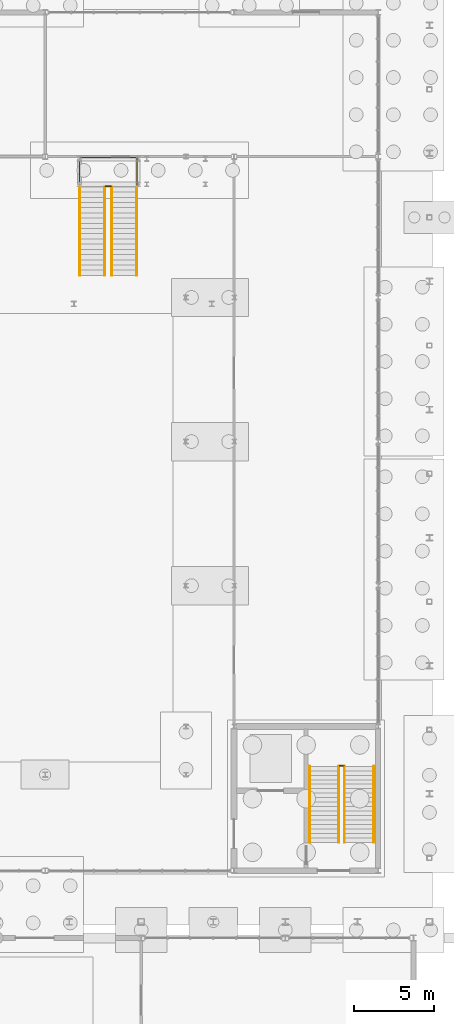
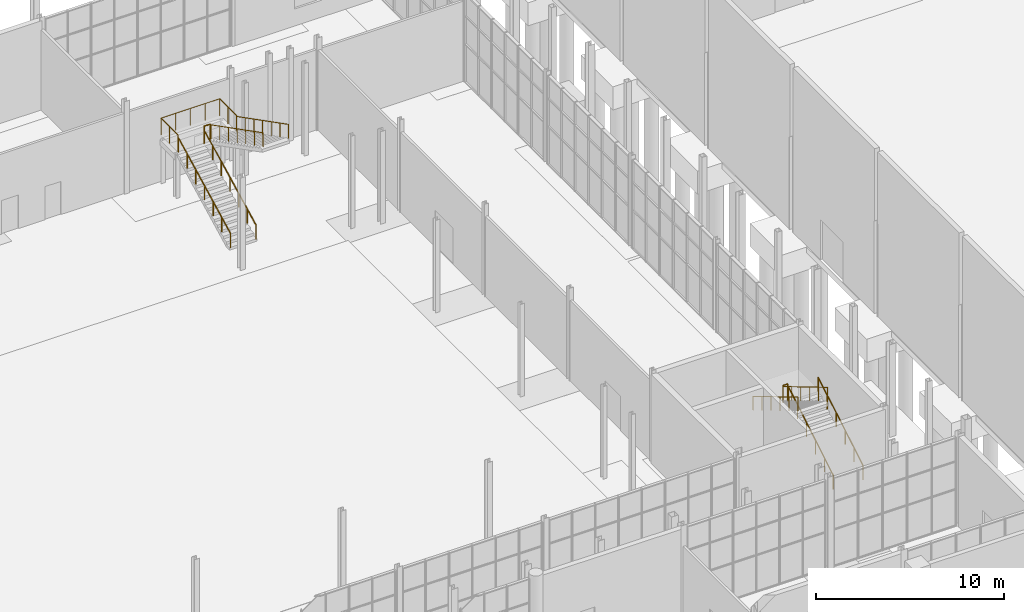
# One storey, part 129 of 131: 11 railings.
"""IFC4 building model written with IfcOpenShell, lengths in metres."""

import ifcopenshell
import ifcopenshell.guid

model = None  # the IFC model being written
_history = None  # IfcOwnerHistory: only IFC2X3 demands one
_inside = {}  # id of a spatial element -> (the spatial element, [elements in it])
_under = {}  # id of a project, library or spatial element -> (it, [spatial elements below it])
_declared = {}  # id of a project -> (the project, [libraries it declares])
_typed = {}  # id of a type object -> (the type object, [elements of that type])
_made_of = {}  # id of a material, layer set ... -> (it, [elements and type objects made of it])


def new_model(schema):
    """Start an empty IFC model of exactly this schema.

    Asked for "IFC4X3", IfcOpenShell would pick the latest addendum, in which some entities
    have other attributes; the version numbers below select the first issue.
    IFC2X3 requires an IfcOwnerHistory on every rooted entity: one is made here for all.
    """
    global model, _history
    if schema == "IFC4X3":
        model = ifcopenshell.file(schema_version=(4, 3, 0, 0))
    else:
        model = ifcopenshell.file(schema=schema)
    _inside.clear()
    _under.clear()
    _declared.clear()
    _typed.clear()
    _made_of.clear()
    _history = None
    if model.schema == "IFC2X3":
        org = make("IfcOrganization", Name="unknown")
        user = make(
            "IfcPersonAndOrganization",
            ThePerson=make("IfcPerson", FamilyName="unknown"),
            TheOrganization=org,
        )
        app = make(
            "IfcApplication",
            ApplicationDeveloper=org,
            Version="unknown",
            ApplicationFullName="unknown",
            ApplicationIdentifier="unknown",
        )
        _history = make(
            "IfcOwnerHistory",
            OwningUser=user,
            OwningApplication=app,
            ChangeAction="ADDED",
            CreationDate=0,
        )
    return model


def make(cls, **values):
    """One entity of the class cls with the attributes given. An attribute that is None is left unset."""
    return model.create_entity(
        cls, **{name: value for name, value in values.items() if value is not None}
    )


def rooted(cls, **values):
    """An entity with a GlobalId (a new one), such as an element, a storey or a relation."""
    return make(cls, GlobalId=ifcopenshell.guid.new(), OwnerHistory=_history, **values)


def si_unit(unit_type, name, prefix=None):
    """IfcSIUnit, for example si_unit("LENGTHUNIT", "METRE", prefix="MILLI")."""
    return make("IfcSIUnit", UnitType=unit_type, Prefix=prefix, Name=name)


def assignment(units):
    """IfcUnitAssignment: the units of a project."""
    return None if units is None else make("IfcUnitAssignment", Units=units)


def point(xyz):
    """IfcCartesianPoint."""
    return None if xyz is None else make("IfcCartesianPoint", Coordinates=xyz)


def direction(xyz):
    """IfcDirection."""
    return None if xyz is None else make("IfcDirection", DirectionRatios=xyz)


def frame(location, z_axis=None, x_axis=None):
    """IfcAxis2Placement3D, a coordinate frame: its origin and axes. An axis left out is left unset."""
    return make(
        "IfcAxis2Placement3D",
        Location=point(location),
        Axis=direction(z_axis),
        RefDirection=direction(x_axis),
    )


def frame_2d(location, x_axis=None):
    """IfcAxis2Placement2D, a coordinate frame in the plane: its origin and x axis."""
    return make(
        "IfcAxis2Placement2D", Location=point(location), RefDirection=direction(x_axis)
    )


def origin():
    """The frame at (0, 0, 0) with its axes left unset."""
    return frame((0.0, 0.0, 0.0))


def origin_2d():
    """The frame at (0, 0) in the plane with its x axis left unset."""
    return frame_2d((0.0, 0.0))


def place(relative_to, where):
    """IfcLocalPlacement: puts the frame where relative to a parent placement (None: the world)."""
    return make(
        "IfcLocalPlacement", PlacementRelTo=relative_to, RelativePlacement=where
    )


def context(
    kind, dimensions, precision=None, world=None, true_north=None, identifier=None
):
    """IfcGeometricRepresentationContext, for example the 3D "Model" context."""
    return make(
        "IfcGeometricRepresentationContext",
        ContextIdentifier=identifier,
        ContextType=kind,
        CoordinateSpaceDimension=dimensions,
        Precision=precision,
        WorldCoordinateSystem=world,
        TrueNorth=true_north,
    )


def subcontext(parent, identifier, kind, view, scale=None):
    """IfcGeometricRepresentationSubContext, for example "Body" below "Model"."""
    return make(
        "IfcGeometricRepresentationSubContext",
        ContextIdentifier=identifier,
        ContextType=kind,
        ParentContext=parent,
        TargetScale=scale,
        TargetView=view,
    )


def project(units=None, contexts=None):
    """IfcProject with its units and contexts."""
    return rooted(
        "IfcProject",
        Name="project",
        RepresentationContexts=contexts,
        UnitsInContext=assignment(units),
    )


def spatial(cls, under=None, at=None, **own):
    """A site, building, storey or space (cls), placed at a placement, below another one or the project."""
    s = rooted(cls, ObjectPlacement=at, **own)
    if under is not None:
        _under.setdefault(under.id(), (under, []))[1].append(s)
    return s


def profile(cls, at=None, kind="AREA", **sizes):
    """A parametric profile (cls). Its sizes go by their IFC names, for example OverallWidth=200.0."""
    return make(cls, ProfileType=kind, Position=at, **sizes)


def circle(**sizes):
    """IfcCircleProfileDef."""
    return profile("IfcCircleProfileDef", **sizes)


def extrude(swept, where, along, depth):
    """IfcExtrudedAreaSolid: the profile swept, set in the frame where, extruded along a direction by depth."""
    return make(
        "IfcExtrudedAreaSolid",
        SweptArea=swept,
        Position=where,
        ExtrudedDirection=direction(along),
        Depth=depth,
    )


def shape(context_of_items, identifier, shape_type, items):
    """IfcShapeRepresentation: the items that make up one representation, for example the "Body"."""
    return make(
        "IfcShapeRepresentation",
        ContextOfItems=context_of_items,
        RepresentationIdentifier=identifier,
        RepresentationType=shape_type,
        Items=items,
    )


def material(Name=None, Category=None):
    """IfcMaterial."""
    return make("IfcMaterial", Name=Name, Category=Category)


def made_of(thing, what):
    """Note that an element or type object is made of a material, layer set ...; save() writes the relation."""
    if what is not None:
        _made_of.setdefault(what.id(), (what, []))[1].append(thing)
    return thing


def type_object(cls, material=None, **own):
    """A type object (cls), such as IfcWallType, which elements share."""
    return made_of(rooted(cls, **own), material)


def element(
    cls,
    number,
    at=None,
    inside=None,
    cuts=None,
    type_object=None,
    material=None,
    context=None,
    identifier="Body",
    shape_type=None,
    held_by="IfcProductDefinitionShape",
    body=None,
    shapes=None,
    **own,
):
    """One element of the class cls, such as IfcWall. Its Tag is "e" and its number.

    at: its placement. inside: the storey or other place that contains it. cuts: it is an
    opening in that element (IfcRelVoidsElement). A single representation is given by context,
    identifier, shape_type and body (its items); several are given by shapes. held_by: the class
    of the entity that holds the representations. save() writes the other relations.
    """
    e = rooted(cls, Tag="e%d" % number, ObjectPlacement=at, **own)
    if body is not None:
        shapes = [shape(context, identifier, shape_type, body)]
    if shapes is not None:
        e.Representation = make(held_by, Representations=shapes)
    if inside is not None:
        _inside.setdefault(inside.id(), (inside, []))[1].append(e)
    if cuts is not None:
        rooted(
            "IfcRelVoidsElement", RelatingBuildingElement=cuts, RelatedOpeningElement=e
        )
    if type_object is not None:
        _typed.setdefault(type_object.id(), (type_object, []))[1].append(e)
    return made_of(e, material)


def aggregate(whole, parts):
    """IfcRelAggregates: a whole, such as a stair, and the parts it consists of."""
    return rooted("IfcRelAggregates", RelatingObject=whole, RelatedObjects=parts)


def save(model, path):
    """Write the relations noted so far, then the file.

    IfcRelAggregates (storeys below a building ...), IfcRelContainedInSpatialStructure (elements
    in a storey), IfcRelDefinesByType, IfcRelAssociatesMaterial and IfcRelDeclares: one each for
    every whole, place, type object, material and project.
    """
    for whole, parts in _under.values():
        aggregate(whole, parts)
    for where, things in _inside.values():
        rooted(
            "IfcRelContainedInSpatialStructure",
            RelatedElements=things,
            RelatingStructure=where,
        )
    for kind, things in _typed.values():
        rooted("IfcRelDefinesByType", RelatedObjects=things, RelatingType=kind)
    for what, things in _made_of.values():
        rooted("IfcRelAssociatesMaterial", RelatedObjects=things, RelatingMaterial=what)
    for by, libraries in _declared.values():
        rooted("IfcRelDeclares", RelatingContext=by, RelatedDefinitions=libraries)
    model.write(path)


model = new_model("IFC4")

# Units and contexts
model_context = context("Model", 3, precision=1e-05, world=origin(), true_north=direction((0.0, 1.0)))
body_context = subcontext(model_context, "Body", "Model", "MODEL_VIEW")
ifc_project = project(units=[si_unit("LENGTHUNIT", "METRE"), si_unit("AREAUNIT", "SQUARE_METRE"), si_unit("VOLUMEUNIT", "CUBIC_METRE"), si_unit("PLANEANGLEUNIT", "RADIAN"), si_unit("MASSUNIT", "GRAM", prefix="KILO")], contexts=[model_context])

# Site, building, storey
site_placement = place(None, origin())
site = spatial("IfcSite", under=ifc_project, at=site_placement, CompositionType="ELEMENT")
building_placement = place(site_placement, origin())
building = spatial("IfcBuilding", under=site, at=building_placement, Name="Cazmaro Siding Exhibition Halls", CompositionType="ELEMENT")
storey_placement = place(building_placement, origin())
storey = spatial("IfcBuildingStorey", under=building, at=storey_placement, Name="L00", CompositionType="ELEMENT", Elevation=0.0)

# Railings
ifc_material_1 = material(Name="Painted Steel Stairwell Guardrail", Category="steel")
railing_type_1 = type_object("IfcRailingType", Name="RL-GRD-01", PredefinedType="GUARDRAIL", material=ifc_material_1)
railing_1_placement = place(storey_placement, frame((165.3798828125, 73.760009765625, 3.0)))
element("IfcRailing", 1, at=railing_1_placement, inside=storey, type_object=railing_type_1, Name="ST-03 Mid-Landing Slot Guard RL-GRD-01 RL-SG005", PredefinedType="GUARDRAIL", context=body_context, shape_type="SweptSolid", body=[
    extrude(circle(Radius=0.02392578125, at=origin_2d()), frame((0.0, 0.0, 1.09619140625), z_axis=(1.0, 0.0, 0.0), x_axis=(0.0, 1.0, 0.0)), (0.0, 0.0, 1.0), 0.28515625),
    extrude(circle(Radius=0.02099609375, at=origin_2d()), origin(), (0.0, 0.0, 1.0), 1.072021484375),
    extrude(circle(Radius=0.02099609375, at=origin_2d()), frame((0.28515625, 0.0, 0.0)), (0.0, 0.0, 1.0), 1.072021484375),
])
railing_2_placement = place(storey_placement, frame((150.7548828125, 109.945068359375, 3.0)))
element("IfcRailing", 2, at=railing_2_placement, inside=storey, type_object=railing_type_1, Name="ST-24 Mid-Landing Slot Guard RL-GRD-01 RL-SG049", PredefinedType="GUARDRAIL", context=body_context, shape_type="SweptSolid", body=[
    extrude(circle(Radius=0.02392578125, at=origin_2d()), frame((0.0, 0.0, 1.09619140625), z_axis=(1.0, 0.0, 0.0), x_axis=(0.0, 1.0, 0.0)), (0.0, 0.0, 1.0), 0.3701171875),
    extrude(circle(Radius=0.02099609375, at=origin_2d()), origin(), (0.0, 0.0, 1.0), 1.072021484375),
    extrude(circle(Radius=0.02099609375, at=origin_2d()), frame((0.3701171875, 0.0, 0.0)), (0.0, 0.0, 1.0), 1.072021484375),
])
railing_3_placement = place(storey_placement, frame((149.139892578125, 109.93994140625, 3.0)))
element("IfcRailing", 3, at=railing_3_placement, inside=storey, type_object=railing_type_1, Name="ST-24 Mid-Landing Perimeter Guard RL-GRD-01 RL-SG050", PredefinedType="GUARDRAIL", context=body_context, shape_type="SweptSolid", body=[
    extrude(circle(Radius=0.02392578125, at=origin_2d()), frame((0.0, 0.0, 1.09619140625), z_axis=(0.0, 1.0, 0.0), x_axis=(-1.0, 0.0, 0.0)), (0.0, 0.0, 1.0), 1.800048828125),
    extrude(circle(Radius=0.02392578125, at=origin_2d()), frame((0.0, 1.800048828125, 1.09619140625), z_axis=(1.0, 0.0, 0.0), x_axis=(0.0, 1.0, 0.0)), (0.0, 0.0, 1.0), 3.60009765625),
    extrude(circle(Radius=0.02392578125, at=origin_2d()), frame((3.60009765625, 1.800048828125, 1.09619140625), z_axis=(0.0, -1.0, 0.0), x_axis=(1.0, 0.0, 0.0)), (0.0, 0.0, 1.0), 1.800048828125),
    extrude(circle(Radius=0.02099609375, at=origin_2d()), origin(), (0.0, 0.0, 1.0), 1.072021484375),
    extrude(circle(Radius=0.02099609375, at=origin_2d()), frame((0.0, 0.89990234375, 0.0)), (0.0, 0.0, 1.0), 1.072021484375),
    extrude(circle(Radius=0.02099609375, at=origin_2d()), frame((0.0, 1.800048828125, 0.0)), (0.0, 0.0, 1.0), 1.072021484375),
    extrude(circle(Radius=0.02099609375, at=origin_2d()), frame((0.89990234375, 1.800048828125, 0.0)), (0.0, 0.0, 1.0), 1.072021484375),
    extrude(circle(Radius=0.02099609375, at=origin_2d()), frame((1.800048828125, 1.800048828125, 0.0)), (0.0, 0.0, 1.0), 1.072021484375),
    extrude(circle(Radius=0.02099609375, at=origin_2d()), frame((2.7001953125, 1.800048828125, 0.0)), (0.0, 0.0, 1.0), 1.072021484375),
    extrude(circle(Radius=0.02099609375, at=origin_2d()), frame((3.60009765625, 1.800048828125, 0.0)), (0.0, 0.0, 1.0), 1.072021484375),
    extrude(circle(Radius=0.02099609375, at=origin_2d()), frame((3.60009765625, 0.89990234375, 0.0)), (0.0, 0.0, 1.0), 1.072021484375),
    extrude(circle(Radius=0.02099609375, at=origin_2d()), frame((3.60009765625, 0.0, 0.0)), (0.0, 0.0, 1.0), 1.072021484375),
])
ifc_material_2 = material(Name="Brushed Stainless Steel Tubular Handrail", Category="steel")
railing_type_2 = type_object("IfcRailingType", Name="RL-HR-01", PredefinedType="HANDRAIL", material=ifc_material_2)
railing_4_placement = place(storey_placement, frame((165.699951171875, 68.9599609375, 0.1669921875)))
element("IfcRailing", 4, at=railing_4_placement, inside=storey, type_object=railing_type_2, Name="ST-03 Flight 1 Handrail 1", PredefinedType="HANDRAIL", context=body_context, shape_type="SweptSolid", body=[
    extrude(circle(Radius=0.02392578125, at=origin_2d()), frame((0.0, 0.0, 0.89599609375), z_axis=(0.0, 0.859319172962, 0.511439692417), x_axis=(-1.0, 0.0, 0.0)), (0.0, 0.0, 1.0), 5.539306640625),
    extrude(circle(Radius=0.02099609375, at=origin_2d()), origin(), (0.0, 0.0, 1.0), 0.871826171875),
    extrude(circle(Radius=0.02099609375, at=origin_2d()), frame((0.0, 0.951904296875, 0.566650390625)), (0.0, 0.0, 1.0), 0.871826171875),
    extrude(circle(Radius=0.02099609375, at=origin_2d()), frame((0.0, 1.904052734375, 1.13330078125)), (0.0, 0.0, 1.0), 0.871826171875),
    extrude(circle(Radius=0.02099609375, at=origin_2d()), frame((0.0, 2.85595703125, 1.69970703125)), (0.0, 0.0, 1.0), 0.871826171875),
    extrude(circle(Radius=0.02099609375, at=origin_2d()), frame((0.0, 3.80810546875, 2.266357421875)), (0.0, 0.0, 1.0), 0.871826171875),
    extrude(circle(Radius=0.02099609375, at=origin_2d()), frame((0.0, 4.760009765625, 2.8330078125)), (0.0, 0.0, 1.0), 0.871826171875),
])
railing_5_placement = place(storey_placement, frame((163.52490234375, 73.719970703125, 3.1669921875)))
element("IfcRailing", 5, at=railing_5_placement, inside=storey, type_object=railing_type_2, Name="ST-03 Flight 2 Handrail 1", PredefinedType="HANDRAIL", context=body_context, shape_type="SweptSolid", body=[
    extrude(circle(Radius=0.02392578125, at=origin_2d()), frame((0.0, 0.0, 0.89599609375), z_axis=(0.0, -0.859319172962, 0.511439692417), x_axis=(1.0, 0.0, 0.0)), (0.0, 0.0, 1.0), 5.539306640625),
    extrude(circle(Radius=0.02099609375, at=origin_2d()), origin(), (0.0, 0.0, 1.0), 0.871826171875),
    extrude(circle(Radius=0.02099609375, at=origin_2d()), frame((0.0, -0.951904296875, 0.566650390625)), (0.0, 0.0, 1.0), 0.871826171875),
    extrude(circle(Radius=0.02099609375, at=origin_2d()), frame((0.0, -1.904052734375, 1.13330078125)), (0.0, 0.0, 1.0), 0.871826171875),
    extrude(circle(Radius=0.02099609375, at=origin_2d()), frame((0.0, -2.85595703125, 1.69970703125)), (0.0, 0.0, 1.0), 0.871826171875),
    extrude(circle(Radius=0.02099609375, at=origin_2d()), frame((0.0, -3.80810546875, 2.266357421875)), (0.0, 0.0, 1.0), 0.871826171875),
    extrude(circle(Radius=0.02099609375, at=origin_2d()), frame((0.0, -4.760009765625, 2.8330078125)), (0.0, 0.0, 1.0), 0.871826171875),
])
railing_6_placement = place(storey_placement, frame((167.52001953125, 68.9599609375, 0.1669921875)))
element("IfcRailing", 6, at=railing_6_placement, inside=storey, type_object=railing_type_2, Name="ST-03 Flight 1 Handrail 2", PredefinedType="HANDRAIL", context=body_context, shape_type="SweptSolid", body=[
    extrude(circle(Radius=0.02392578125, at=origin_2d()), frame((0.0, 0.0, 0.89599609375), z_axis=(0.0, 0.859319172962, 0.511439692417), x_axis=(-1.0, 0.0, 0.0)), (0.0, 0.0, 1.0), 5.539306640625),
    extrude(circle(Radius=0.02099609375, at=origin_2d()), origin(), (0.0, 0.0, 1.0), 0.871826171875),
    extrude(circle(Radius=0.02099609375, at=origin_2d()), frame((0.0, 0.951904296875, 0.566650390625)), (0.0, 0.0, 1.0), 0.871826171875),
    extrude(circle(Radius=0.02099609375, at=origin_2d()), frame((0.0, 1.904052734375, 1.13330078125)), (0.0, 0.0, 1.0), 0.871826171875),
    extrude(circle(Radius=0.02099609375, at=origin_2d()), frame((0.0, 2.85595703125, 1.69970703125)), (0.0, 0.0, 1.0), 0.871826171875),
    extrude(circle(Radius=0.02099609375, at=origin_2d()), frame((0.0, 3.80810546875, 2.266357421875)), (0.0, 0.0, 1.0), 0.871826171875),
    extrude(circle(Radius=0.02099609375, at=origin_2d()), frame((0.0, 4.760009765625, 2.8330078125)), (0.0, 0.0, 1.0), 0.871826171875),
])
railing_7_placement = place(storey_placement, frame((165.344970703125, 73.719970703125, 3.1669921875)))
element("IfcRailing", 7, at=railing_7_placement, inside=storey, type_object=railing_type_2, Name="ST-03 Flight 2 Handrail 2", PredefinedType="HANDRAIL", context=body_context, shape_type="SweptSolid", body=[
    extrude(circle(Radius=0.02392578125, at=origin_2d()), frame((0.0, 0.0, 0.89599609375), z_axis=(0.0, -0.859319172962, 0.511439692417), x_axis=(1.0, 0.0, 0.0)), (0.0, 0.0, 1.0), 5.539306640625),
    extrude(circle(Radius=0.02099609375, at=origin_2d()), origin(), (0.0, 0.0, 1.0), 0.871826171875),
    extrude(circle(Radius=0.02099609375, at=origin_2d()), frame((0.0, -0.951904296875, 0.566650390625)), (0.0, 0.0, 1.0), 0.871826171875),
    extrude(circle(Radius=0.02099609375, at=origin_2d()), frame((0.0, -1.904052734375, 1.13330078125)), (0.0, 0.0, 1.0), 0.871826171875),
    extrude(circle(Radius=0.02099609375, at=origin_2d()), frame((0.0, -2.85595703125, 1.69970703125)), (0.0, 0.0, 1.0), 0.871826171875),
    extrude(circle(Radius=0.02099609375, at=origin_2d()), frame((0.0, -3.80810546875, 2.266357421875)), (0.0, 0.0, 1.0), 0.871826171875),
    extrude(circle(Radius=0.02099609375, at=origin_2d()), frame((0.0, -4.760009765625, 2.8330078125)), (0.0, 0.0, 1.0), 0.871826171875),
])
railing_8_placement = place(storey_placement, frame((149.159912109375, 104.3798828125, 0.1669921875)))
element("IfcRailing", 8, at=railing_8_placement, inside=storey, type_object=railing_type_2, Name="ST-24 Flight 1 Handrail 1", PredefinedType="HANDRAIL", context=body_context, shape_type="SweptSolid", body=[
    extrude(circle(Radius=0.02392578125, at=origin_2d()), frame((0.0, 0.0, 0.89599609375), z_axis=(0.0, 0.88984366082, 0.45626555787), x_axis=(-1.0, 0.0, 0.0)), (0.0, 0.0, 1.0), 6.209228515625),
    extrude(circle(Radius=0.02099609375, at=origin_2d()), origin(), (0.0, 0.0, 1.0), 0.871826171875),
    extrude(circle(Radius=0.02099609375, at=origin_2d()), frame((0.0, 0.9208984375, 0.47216796875)), (0.0, 0.0, 1.0), 0.871826171875),
    extrude(circle(Radius=0.02099609375, at=origin_2d()), frame((0.0, 1.841796875, 0.9443359375)), (0.0, 0.0, 1.0), 0.871826171875),
    extrude(circle(Radius=0.02099609375, at=origin_2d()), frame((0.0, 2.7626953125, 1.41650390625)), (0.0, 0.0, 1.0), 0.871826171875),
    extrude(circle(Radius=0.02099609375, at=origin_2d()), frame((0.0, 3.683349609375, 1.888671875)), (0.0, 0.0, 1.0), 0.871826171875),
    extrude(circle(Radius=0.02099609375, at=origin_2d()), frame((0.0, 4.604248046875, 2.36083984375)), (0.0, 0.0, 1.0), 0.871826171875),
    extrude(circle(Radius=0.02099609375, at=origin_2d()), frame((0.0, 5.525146484375, 2.8330078125)), (0.0, 0.0, 1.0), 0.871826171875),
])
railing_9_placement = place(storey_placement, frame((151.159912109375, 109.905029296875, 3.1669921875)))
element("IfcRailing", 9, at=railing_9_placement, inside=storey, type_object=railing_type_2, Name="ST-24 Flight 2 Handrail 1", PredefinedType="HANDRAIL", context=body_context, shape_type="SweptSolid", body=[
    extrude(circle(Radius=0.02392578125, at=origin_2d()), frame((0.0, 0.0, 0.89599609375), z_axis=(0.0, -0.88984366082, 0.45626555787), x_axis=(1.0, 0.0, 0.0)), (0.0, 0.0, 1.0), 6.209228515625),
    extrude(circle(Radius=0.02099609375, at=origin_2d()), origin(), (0.0, 0.0, 1.0), 0.871826171875),
    extrude(circle(Radius=0.02099609375, at=origin_2d()), frame((0.0, -0.9208984375, 0.47216796875)), (0.0, 0.0, 1.0), 0.871826171875),
    extrude(circle(Radius=0.02099609375, at=origin_2d()), frame((0.0, -1.841796875, 0.9443359375)), (0.0, 0.0, 1.0), 0.871826171875),
    extrude(circle(Radius=0.02099609375, at=origin_2d()), frame((0.0, -2.7626953125, 1.41650390625)), (0.0, 0.0, 1.0), 0.871826171875),
    extrude(circle(Radius=0.02099609375, at=origin_2d()), frame((0.0, -3.683349609375, 1.888671875)), (0.0, 0.0, 1.0), 0.871826171875),
    extrude(circle(Radius=0.02099609375, at=origin_2d()), frame((0.0, -4.604248046875, 2.36083984375)), (0.0, 0.0, 1.0), 0.871826171875),
    extrude(circle(Radius=0.02099609375, at=origin_2d()), frame((0.0, -5.525146484375, 2.8330078125)), (0.0, 0.0, 1.0), 0.871826171875),
])
railing_10_placement = place(storey_placement, frame((150.719970703125, 104.3798828125, 0.1669921875)))
element("IfcRailing", 10, at=railing_10_placement, inside=storey, type_object=railing_type_2, Name="ST-24 Flight 1 Handrail 2", PredefinedType="HANDRAIL", context=body_context, shape_type="SweptSolid", body=[
    extrude(circle(Radius=0.02392578125, at=origin_2d()), frame((0.0, 0.0, 0.89599609375), z_axis=(0.0, 0.88984366082, 0.45626555787), x_axis=(-1.0, 0.0, 0.0)), (0.0, 0.0, 1.0), 6.209228515625),
    extrude(circle(Radius=0.02099609375, at=origin_2d()), origin(), (0.0, 0.0, 1.0), 0.871826171875),
    extrude(circle(Radius=0.02099609375, at=origin_2d()), frame((0.0, 0.9208984375, 0.47216796875)), (0.0, 0.0, 1.0), 0.871826171875),
    extrude(circle(Radius=0.02099609375, at=origin_2d()), frame((0.0, 1.841796875, 0.9443359375)), (0.0, 0.0, 1.0), 0.871826171875),
    extrude(circle(Radius=0.02099609375, at=origin_2d()), frame((0.0, 2.7626953125, 1.41650390625)), (0.0, 0.0, 1.0), 0.871826171875),
    extrude(circle(Radius=0.02099609375, at=origin_2d()), frame((0.0, 3.683349609375, 1.888671875)), (0.0, 0.0, 1.0), 0.871826171875),
    extrude(circle(Radius=0.02099609375, at=origin_2d()), frame((0.0, 4.604248046875, 2.36083984375)), (0.0, 0.0, 1.0), 0.871826171875),
    extrude(circle(Radius=0.02099609375, at=origin_2d()), frame((0.0, 5.525146484375, 2.8330078125)), (0.0, 0.0, 1.0), 0.871826171875),
])
railing_11_placement = place(storey_placement, frame((152.719970703125, 109.905029296875, 3.1669921875)))
element("IfcRailing", 11, at=railing_11_placement, inside=storey, type_object=railing_type_2, Name="ST-24 Flight 2 Handrail 2", PredefinedType="HANDRAIL", context=body_context, shape_type="SweptSolid", body=[
    extrude(circle(Radius=0.02392578125, at=origin_2d()), frame((0.0, 0.0, 0.89599609375), z_axis=(0.0, -0.88984366082, 0.45626555787), x_axis=(1.0, 0.0, 0.0)), (0.0, 0.0, 1.0), 6.209228515625),
    extrude(circle(Radius=0.02099609375, at=origin_2d()), origin(), (0.0, 0.0, 1.0), 0.871826171875),
    extrude(circle(Radius=0.02099609375, at=origin_2d()), frame((0.0, -0.9208984375, 0.47216796875)), (0.0, 0.0, 1.0), 0.871826171875),
    extrude(circle(Radius=0.02099609375, at=origin_2d()), frame((0.0, -1.841796875, 0.9443359375)), (0.0, 0.0, 1.0), 0.871826171875),
    extrude(circle(Radius=0.02099609375, at=origin_2d()), frame((0.0, -2.7626953125, 1.41650390625)), (0.0, 0.0, 1.0), 0.871826171875),
    extrude(circle(Radius=0.02099609375, at=origin_2d()), frame((0.0, -3.683349609375, 1.888671875)), (0.0, 0.0, 1.0), 0.871826171875),
    extrude(circle(Radius=0.02099609375, at=origin_2d()), frame((0.0, -4.604248046875, 2.36083984375)), (0.0, 0.0, 1.0), 0.871826171875),
    extrude(circle(Radius=0.02099609375, at=origin_2d()), frame((0.0, -5.525146484375, 2.8330078125)), (0.0, 0.0, 1.0), 0.871826171875),
])

save(model, "model.ifc")
